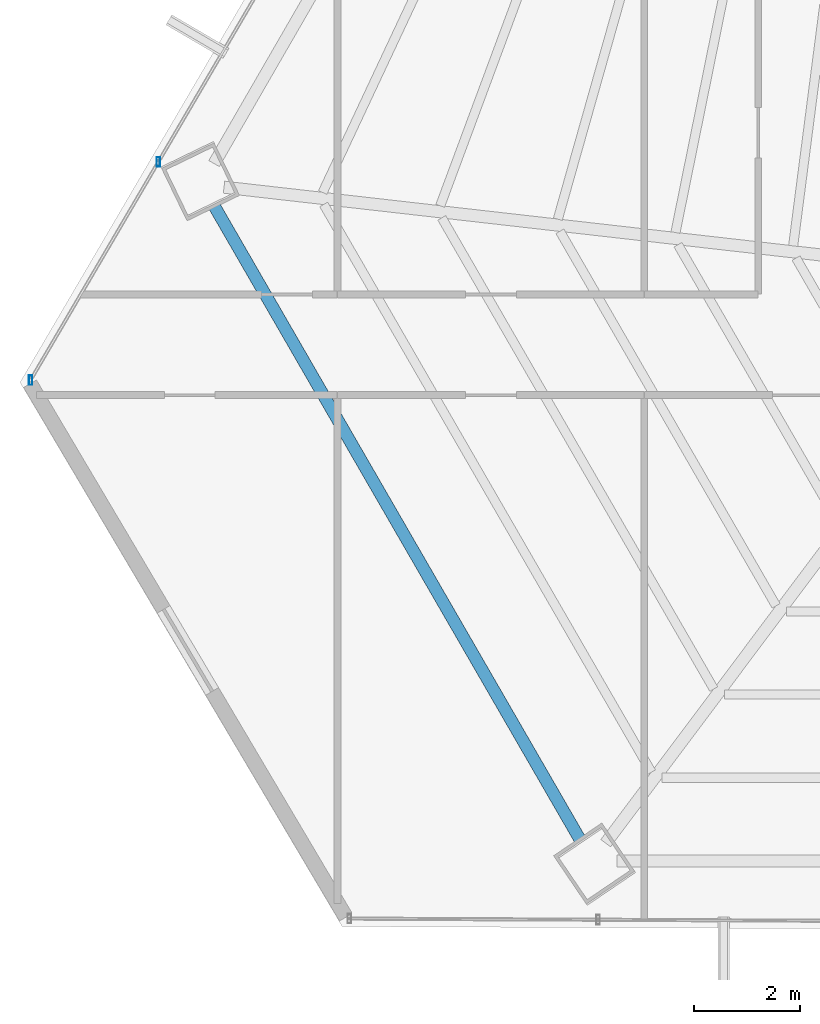
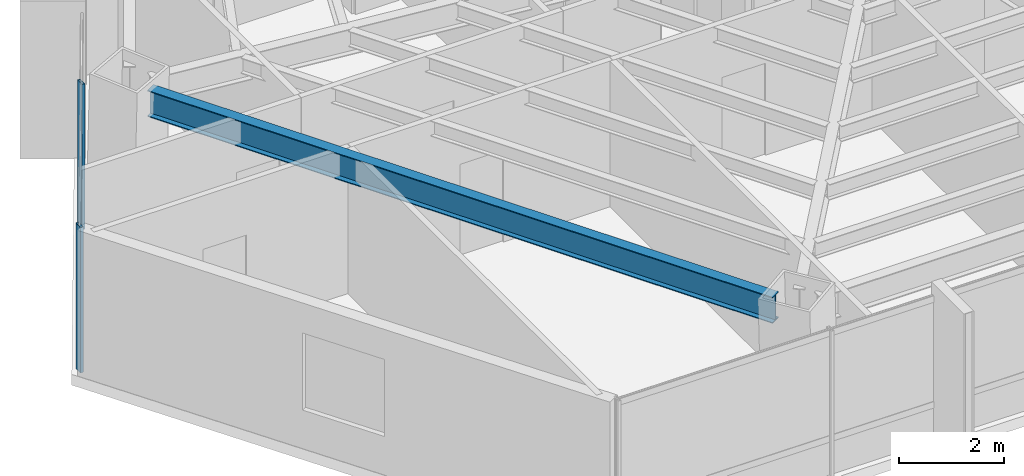
# One storey, part 6 of 37: 2 members, 1 beam, 1 element without a shape of its own.
"""IFC4 building model written with IfcOpenShell, lengths in metres."""

from ifc_helpers import new_model, si_unit, direction, frame, origin, origin_2d, place, context, subcontext, project, spatial, hollow_rectangle, i_section, extrude, source, transform, mapped, material, material_profile, profile_set, type_object, type_shapes, element, aggregate, save


model = new_model("IFC4")

# Units and contexts
model_context = context("Model", 3, precision=1e-05, world=origin(), true_north=direction((0.0, 1.0)))
body_context = subcontext(model_context, "Body", "Model", "MODEL_VIEW")
ifc_project = project(units=[si_unit("LENGTHUNIT", "METRE"), si_unit("AREAUNIT", "SQUARE_METRE"), si_unit("VOLUMEUNIT", "CUBIC_METRE"), si_unit("PLANEANGLEUNIT", "RADIAN"), si_unit("MASSUNIT", "GRAM", prefix="KILO")], contexts=[model_context])

# Site, building, storey
site_placement = place(None, origin())
site = spatial("IfcSite", under=ifc_project, at=site_placement, CompositionType="ELEMENT")
building_placement = place(site_placement, origin())
building = spatial("IfcBuilding", under=site, at=building_placement, Name="Caelisora Broadcast Tower", CompositionType="ELEMENT")
storey_placement = place(building_placement, frame((0.0, 0.0, 105.39990234375)))
storey = spatial("IfcBuildingStorey", under=building, at=storey_placement, Name="L27", CompositionType="ELEMENT", Elevation=105.39990234375)

# Beam
ifc_material_1 = material(Name="Steel Grade 350 (AS/NZS 3679.1)", Category="steel")
ifc_material_profile_1 = material_profile(ifc_material_1, i_section(OverallWidth=0.22900390625, OverallDepth=0.611572265625, WebThickness=0.011962890625, FlangeThickness=0.01953125, at=origin_2d()), Name="Steel Grade 350 (AS/NZS 3679.1)")
ifc_profile_set_1 = profile_set([ifc_material_profile_1], Name="Steel Grade 350 (AS/NZS 3679.1)")
beam_type = type_object("IfcBeamType", Name="PG03", PredefinedType="BEAM", material=ifc_profile_set_1)
shared_shape_1 = source(origin(), body_context, "Body", "SweptSolid", [
    extrude(i_section(OverallWidth=0.22900390625, OverallDepth=0.611572265625, WebThickness=0.011962890625, FlangeThickness=0.01953125, at=origin_2d()), origin(), (0.0, 0.0, 1.0), 13.811767578125),
])
type_shapes(beam_type, [shared_shape_1])
beam_placement = place(storey_placement, frame((15.134765625, 18.77294921875, 3.09423828125), z_axis=(0.500011643316, -0.866018681408, 0.0), x_axis=(0.866018681408, 0.500011643316, 0.0)))
element("IfcBeam", 1, at=beam_placement, inside=storey, type_object=beam_type, Name="L27 beam PG03", PredefinedType="BEAM", context=body_context, shape_type="MappedRepresentation", body=[
    mapped(shared_shape_1, transform((0.0, 0.0, 0.0), scale=1.0)),
])

# Curtain wall, members
ifc_material_2 = material(Name="Unitised Aluminium and Low-E Glass Curtain Wall", Category="glass")
curtain_wall_type = type_object("IfcCurtainWallType", Name="CW-Z2", PredefinedType="NOTDEFINED", material=ifc_material_2)
curtain_wall_placement = place(storey_placement, origin())
curtain_wall = element("IfcCurtainWall", 2, at=curtain_wall_placement, inside=storey, type_object=curtain_wall_type, Name="L27 curtain wall CW-Z2", PredefinedType="NOTDEFINED")
ifc_material_3 = material(Name="Aluminium 6063-T6 Anodised Terracotta Bronze", Category="aluminium")
ifc_material_profile_2 = material_profile(ifc_material_3, hollow_rectangle(XDim=0.06494140625, YDim=0.179931640625, WallThickness=0.00341796875, at=origin_2d()), Name="Aluminium 6063-T6 Anodised Terracotta Bronze")
ifc_profile_set_2 = profile_set([ifc_material_profile_2], Name="Aluminium 6063-T6 Anodised Terracotta Bronze")
member_type = type_object("IfcMemberType", Name="CWM-02", PredefinedType="MULLION", material=ifc_profile_set_2)
shared_shape_2 = source(origin(), body_context, "Body", "SweptSolid", [
    extrude(hollow_rectangle(XDim=0.06494140625, YDim=0.179931640625, WallThickness=0.00341796875, at=origin_2d()), origin(), (0.0, 0.0, 1.0), 3.400146484375),
])
type_shapes(member_type, [shared_shape_2])
member_1_placement = place(storey_placement, frame((11.67236328125, 15.484130859375, 0.0), z_axis=(0.0, 0.0, 1.0), x_axis=(1.0, 0.0, 0.0)))
member_1 = element("IfcMember", 3, at=member_1_placement, type_object=member_type, Name="L27-CW-B09 mullion #0", PredefinedType="MULLION", context=body_context, shape_type="MappedRepresentation", body=[
    mapped(shared_shape_2, transform((0.0, 0.0, 0.0), scale=1.0)),
])
member_2_placement = place(storey_placement, frame((14.083984375, 19.6005859375, 0.0), z_axis=(0.0, 0.0, 1.0), x_axis=(1.0, 0.0, 0.0)))
member_2 = element("IfcMember", 4, at=member_2_placement, type_object=member_type, Name="L27-CW-B09 mullion #1", PredefinedType="MULLION", context=body_context, shape_type="MappedRepresentation", body=[
    mapped(shared_shape_2, transform((0.0, 0.0, 0.0), scale=1.0)),
])
aggregate(curtain_wall, [member_1, member_2])

save(model, "model.ifc")
